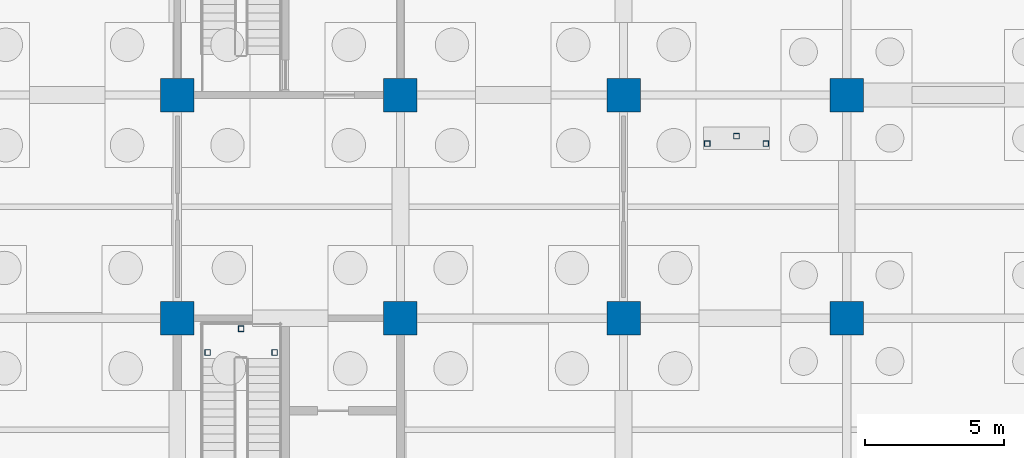
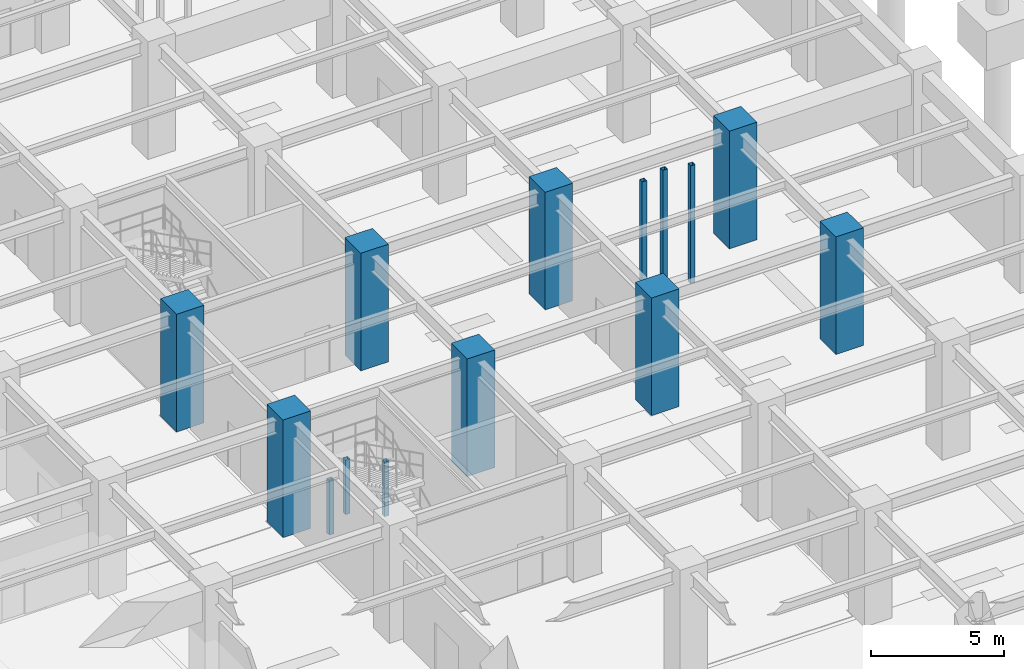
# One storey, part 22 of 97: 14 columns.
"""IFC4 building model written with IfcOpenShell, lengths in metres."""

from ifc_helpers import new_model, si_unit, direction, frame, origin, origin_2d, place, context, subcontext, project, spatial, rectangle, hollow_rectangle, extrude, material, material_profile, profile_set, type_object, element, save


model = new_model("IFC4")

# Units and contexts
model_context = context("Model", 3, precision=1e-05, world=origin(), true_north=direction((0.0, 1.0)))
body_context = subcontext(model_context, "Body", "Model", "MODEL_VIEW")
ifc_project = project(units=[si_unit("LENGTHUNIT", "METRE"), si_unit("AREAUNIT", "SQUARE_METRE"), si_unit("VOLUMEUNIT", "CUBIC_METRE"), si_unit("PLANEANGLEUNIT", "RADIAN"), si_unit("MASSUNIT", "GRAM", prefix="KILO")], contexts=[model_context])

# Site, building, storey
site_placement = place(None, origin())
site = spatial("IfcSite", under=ifc_project, at=site_placement, CompositionType="ELEMENT")
building_placement = place(site_placement, origin())
building = spatial("IfcBuilding", under=site, at=building_placement, Name="Haebicheon Civic Stadium", CompositionType="ELEMENT")
storey_placement = place(building_placement, frame((0.0, 0.0, -5.39990234375)))
storey = spatial("IfcBuildingStorey", under=building, at=storey_placement, Name="B1", CompositionType="ELEMENT", Elevation=-5.39990234375)

# Columns
ifc_material_1 = material(Name="Concrete C40/50", Category="concrete")
ifc_material_profile_1 = material_profile(ifc_material_1, rectangle(XDim=1.199951171875, YDim=1.199951171875, at=origin_2d()), Name="RC-COL-1200x1200")
ifc_profile_set_1 = profile_set([ifc_material_profile_1], Name="Concrete C40/50")
column_type_1 = type_object("IfcColumnType", Name="COL-RC-1200", PredefinedType="COLUMN", material=ifc_profile_set_1)
for number, where, z_axis, x_axis, name in (
    (1, (32.0, 48.0, 0.0), (0.0, 0.0, 1.0), (1.0, 0.0, 0.0), "B1 column 5/G"),
    (2, (32.0, 56.0, 0.0), (0.0, 0.0, 1.0), (1.0, 0.0, 0.0), "B1 column 5/H"),
    (3, (40.0, 48.0, 0.0), (0.0, 0.0, 1.0), (1.0, 0.0, 0.0), "B1 column 6/G"),
    (4, (40.0, 56.0, 0.0), (0.0, 0.0, 1.0), (1.0, 0.0, 0.0), "B1 column 6/H"),
    (5, (48.0, 48.0, 0.0), (0.0, 0.0, 1.0), (1.0, 0.0, 0.0), "B1 column 7/G"),
    (6, (48.0, 56.0, 0.0), (0.0, 0.0, 1.0), (1.0, 0.0, 0.0), "B1 column 7/H"),
    (7, (56.0, 48.0, 0.0), (0.0, 0.0, 1.0), (1.0, 0.0, 0.0), "B1 column 8/G"),
    (8, (56.0, 56.0, 0.0), (0.0, 0.0, 1.0), (1.0, 0.0, 0.0), "B1 column 8/H"),
):
    element("IfcColumn", number, at=place(storey_placement, frame(where, z_axis=z_axis, x_axis=x_axis)), inside=storey, type_object=column_type_1, material=ifc_profile_set_1, Name=name, PredefinedType="COLUMN", context=body_context, shape_type="SweptSolid", body=[
        extrude(rectangle(XDim=1.199951171875, YDim=1.199951171875, at=origin_2d()), origin(), (0.0, 0.0, 1.0), 5.39990234375),
    ])
ifc_material_2 = material(Name="Steel SM355 (S355)", Category="steel")
ifc_material_profile_2 = material_profile(ifc_material_2, hollow_rectangle(XDim=0.199951171875, YDim=0.199951171875, WallThickness=0.009033203125, at=origin_2d()), Name="RHS-200x200x9.0")
ifc_profile_set_2 = profile_set([ifc_material_profile_2], Name="Steel SM355 (S355)")
column_type_2 = type_object("IfcColumnType", Name="COL-ST-RHS200", PredefinedType="COLUMN", material=ifc_profile_set_2)
for number, where, z_axis, x_axis, name in (
    (9, (33.090087890625, 46.77001953125, 0.0), (0.0, 0.0, 1.0), (1.0, 0.0, 0.0), "KC-01 B1 stair half-landing support post A"),
    (10, (35.489990234375, 46.77001953125, 0.0), (0.0, 0.0, 1.0), (1.0, 0.0, 0.0), "KC-01 B1 stair half-landing support post B"),
    (11, (34.2900390625, 47.6201171875, 0.0), (0.0, 0.0, 1.0), (1.0, 0.0, 0.0), "KC-01 B1 stair half-landing support post C"),
):
    element("IfcColumn", number, at=place(storey_placement, frame(where, z_axis=z_axis, x_axis=x_axis)), inside=storey, type_object=column_type_2, material=ifc_profile_set_2, Name=name, PredefinedType="COLUMN", context=body_context, shape_type="SweptSolid", body=[
        extrude(hollow_rectangle(XDim=0.199951171875, YDim=0.199951171875, WallThickness=0.009033203125, at=origin_2d()), origin(), (0.0, 0.0, 1.0), 2.5),
    ])
for number, where, z_axis, x_axis, name in (
    (12, (51.0, 54.260009765625, 0.0), (0.0, 0.0, 1.0), (1.0, 0.0, 0.0), "VM-01 B1 vomitory landing support post A"),
    (13, (53.10009765625, 54.260009765625, 0.0), (0.0, 0.0, 1.0), (1.0, 0.0, 0.0), "VM-01 B1 vomitory landing support post B"),
    (14, (52.050048828125, 54.530029296875, 0.0), (0.0, 0.0, 1.0), (1.0, 0.0, 0.0), "VM-01 B1 vomitory landing support post C"),
):
    element("IfcColumn", number, at=place(storey_placement, frame(where, z_axis=z_axis, x_axis=x_axis)), inside=storey, type_object=column_type_2, material=ifc_profile_set_2, Name=name, PredefinedType="COLUMN", context=body_context, shape_type="SweptSolid", body=[
        extrude(hollow_rectangle(XDim=0.199951171875, YDim=0.199951171875, WallThickness=0.009033203125, at=origin_2d()), origin(), (0.0, 0.0, 1.0), 5.39990234375),
    ])

save(model, "model.ifc")
